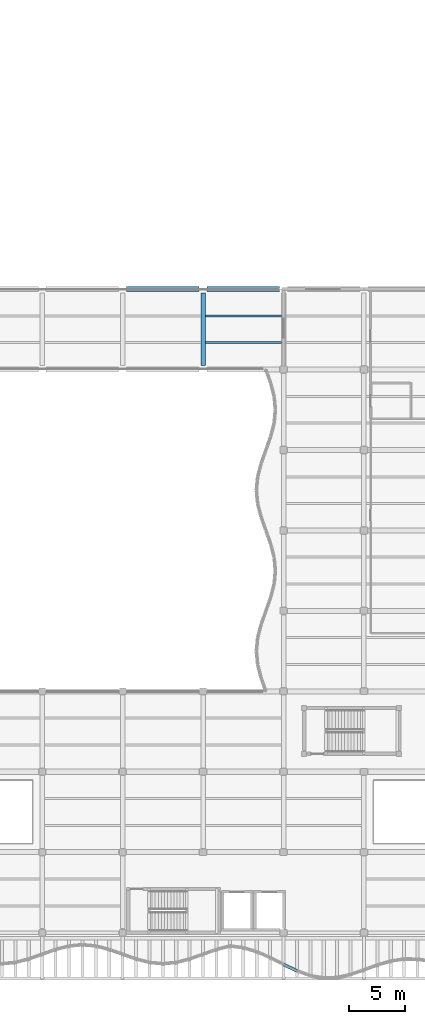
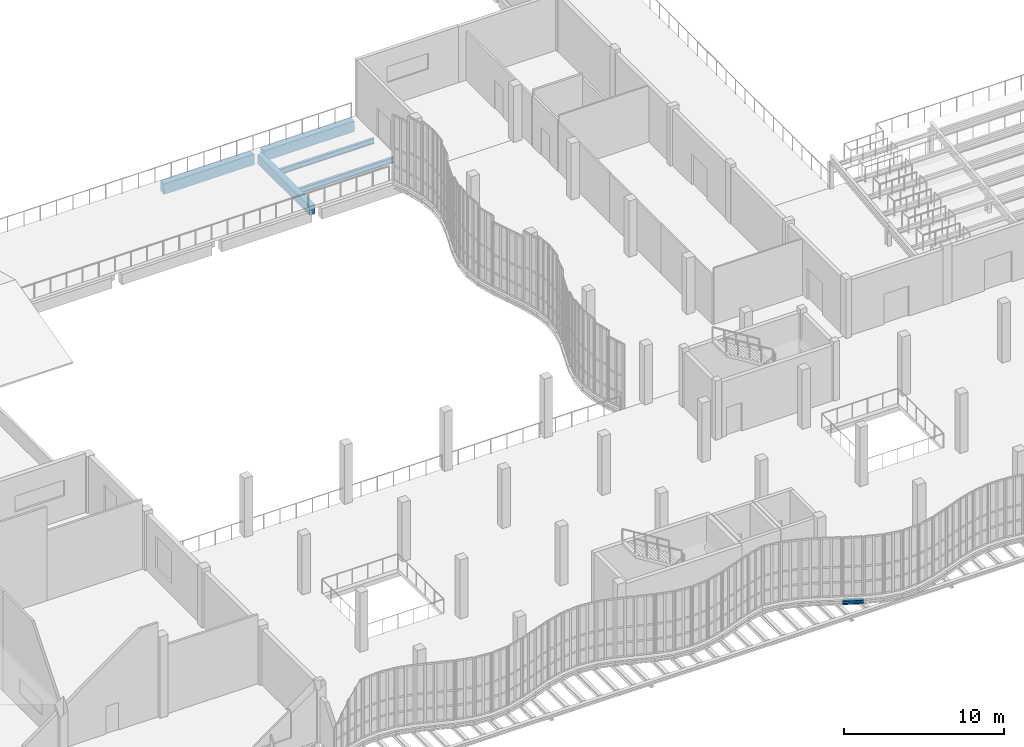
# One storey, part 22 of 105: 6 beams.
"""IFC4 building model written with IfcOpenShell, lengths in metres."""

from ifc_helpers import new_model, si_unit, direction, frame, origin, origin_2d, place, context, subcontext, project, spatial, rectangle, i_section, extrude, material, material_profile, profile_set, type_object, element, save


model = new_model("IFC4")

# Units and contexts
model_context = context("Model", 3, precision=1e-05, world=origin(), true_north=direction((0.0, 1.0)))
body_context = subcontext(model_context, "Body", "Model", "MODEL_VIEW")
ifc_project = project(units=[si_unit("LENGTHUNIT", "METRE"), si_unit("AREAUNIT", "SQUARE_METRE"), si_unit("VOLUMEUNIT", "CUBIC_METRE"), si_unit("PLANEANGLEUNIT", "RADIAN"), si_unit("MASSUNIT", "GRAM", prefix="KILO"), si_unit("THERMODYNAMICTEMPERATUREUNIT", "KELVIN"), si_unit("POWERUNIT", "WATT")], contexts=[model_context])

# Site, building, storey
site_placement = place(None, origin())
site = spatial("IfcSite", under=ifc_project, at=site_placement, CompositionType="ELEMENT")
building_placement = place(site_placement, origin())
building = spatial("IfcBuilding", under=site, at=building_placement, Name="Kaldorven Railside Theatre", CompositionType="ELEMENT")
storey_placement = place(building_placement, frame((0.0, 0.0, 9.89990234375)))
storey = spatial("IfcBuildingStorey", under=building, at=storey_placement, Name="L02", CompositionType="ELEMENT", Elevation=9.89990234375)

# Beams
ifc_material_1 = material(Name="Steel S355", Category="steel")
ifc_material_profile_1 = material_profile(ifc_material_1, i_section(OverallWidth=0.280029296875, OverallDepth=0.280029296875, WebThickness=0.010498046875, FlangeThickness=0.01806640625, at=origin_2d()), Name="HEB 280")
ifc_profile_set_1 = profile_set([ifc_material_profile_1], Name="Steel S355")
beam_type_1 = type_object("IfcBeamType", Name="BM-HEB280", PredefinedType="SPANDREL", material=ifc_profile_set_1)
beam_1_placement = place(storey_placement, frame((72.8134765625, 16.3408203125, -0.419921875), z_axis=(0.900819751904, -0.434193245663, 0.0), x_axis=(0.434193245663, 0.900819751904, 0.0)))
element("IfcBeam", 1, at=beam_1_placement, inside=storey, type_object=beam_type_1, Name="L02 Sinusoidal Flute Edge Spandrel FSB-103", PredefinedType="SPANDREL", context=body_context, shape_type="SweptSolid", body=[
    extrude(i_section(OverallWidth=0.280029296875, OverallDepth=0.280029296875, WebThickness=0.010498046875, FlangeThickness=0.01806640625, at=origin_2d()), origin(), (0.0, 0.0, 1.0), 1.30224609375),
])
ifc_material_profile_2 = material_profile(ifc_material_1, i_section(OverallWidth=0.179931640625, OverallDepth=0.39990234375, WebThickness=0.008544921875, FlangeThickness=0.013427734375, at=origin_2d()), Name="IPE 400")
ifc_profile_set_2 = profile_set([ifc_material_profile_2], Name="Steel S355")
beam_type_2 = type_object("IfcBeamType", Name="BM-IPE400", PredefinedType="JOIST", material=ifc_profile_set_2)
for number, where, z_axis, x_axis, name in (
    (2, (65.800048828125, 72.0, -0.419921875), (1.0, 0.0, 0.0), (0.0, 1.0, 0.0), "L02 Secondary Floor Joist JG-L02-065-0720"),
    (3, (65.800048828125, 74.39990234375, -0.419921875), (1.0, 0.0, 0.0), (0.0, 1.0, 0.0), "L02 Secondary Floor Joist JG-L02-065-0744"),
):
    element("IfcBeam", number, at=place(storey_placement, frame(where, z_axis=z_axis, x_axis=x_axis)), inside=storey, type_object=beam_type_2, Name=name, PredefinedType="JOIST", context=body_context, shape_type="SweptSolid", body=[
        extrude(i_section(OverallWidth=0.179931640625, OverallDepth=0.39990234375, WebThickness=0.008544921875, FlangeThickness=0.013427734375, at=origin_2d()), origin(), (0.0, 0.0, 1.0), 6.800048828125),
    ])
ifc_material_2 = material(Name="Concrete C40/50", Category="concrete")
ifc_material_profile_3 = material_profile(ifc_material_2, rectangle(XDim=0.39990234375, YDim=0.699951171875, at=origin_2d()), Name="RC 400x700")
ifc_profile_set_3 = profile_set([ifc_material_profile_3], Name="Concrete C40/50")
beam_type_3 = type_object("IfcBeamType", Name="BM-RC400x700", PredefinedType="BEAM", material=ifc_profile_set_3)
beam_2_placement = place(storey_placement, frame((65.60009765625, 69.949951171875, -0.56982421875), z_axis=(0.0, 1.0, 0.0), x_axis=(-1.0, 0.0, 0.0)))
element("IfcBeam", 4, at=beam_2_placement, inside=storey, type_object=beam_type_3, Name="L02 Girder BGY-L02-065-069-72", PredefinedType="BEAM", context=body_context, shape_type="SweptSolid", body=[
    extrude(rectangle(XDim=0.39990234375, YDim=0.699951171875, at=origin_2d()), origin(), (0.0, 0.0, 1.0), 6.5),
])
ifc_material_profile_4 = material_profile(ifc_material_2, rectangle(XDim=0.449951171875, YDim=0.800048828125, at=origin_2d()), Name="RC 450x800")
ifc_profile_set_4 = profile_set([ifc_material_profile_4], Name="Concrete C40/50")
beam_type_4 = type_object("IfcBeamType", Name="BM-RC450x800", PredefinedType="BEAM", material=ifc_profile_set_4)
for number, where, z_axis, x_axis, name in (
    (5, (58.75, 76.800048828125, -0.619873046875), (1.0, 0.0, 0.0), (0.0, 1.0, 0.0), "L02 Girder BGX-L02-058-076"),
    (6, (65.949951171875, 76.800048828125, -0.619873046875), (1.0, 0.0, 0.0), (0.0, 1.0, 0.0), "L02 Girder BGX-L02-065-076"),
):
    element("IfcBeam", number, at=place(storey_placement, frame(where, z_axis=z_axis, x_axis=x_axis)), inside=storey, type_object=beam_type_4, Name=name, PredefinedType="BEAM", context=body_context, shape_type="SweptSolid", body=[
        extrude(rectangle(XDim=0.449951171875, YDim=0.800048828125, at=origin_2d()), origin(), (0.0, 0.0, 1.0), 6.5),
    ])

save(model, "model.ifc")
